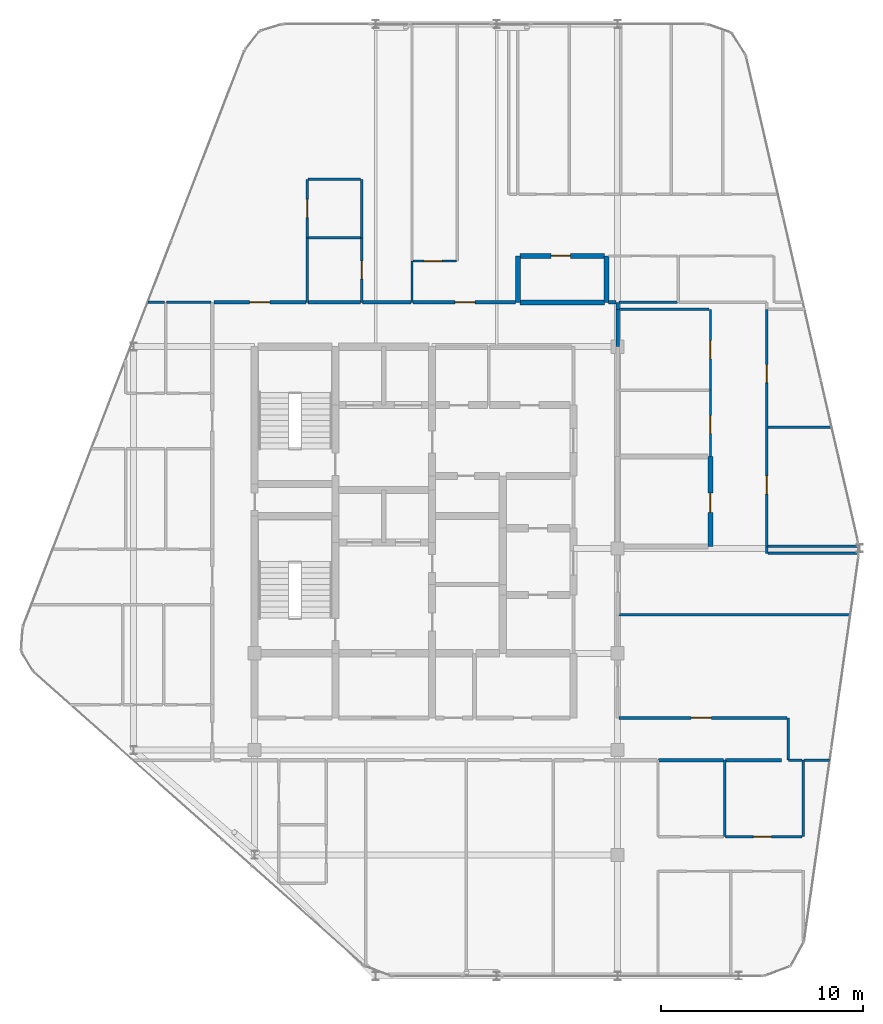
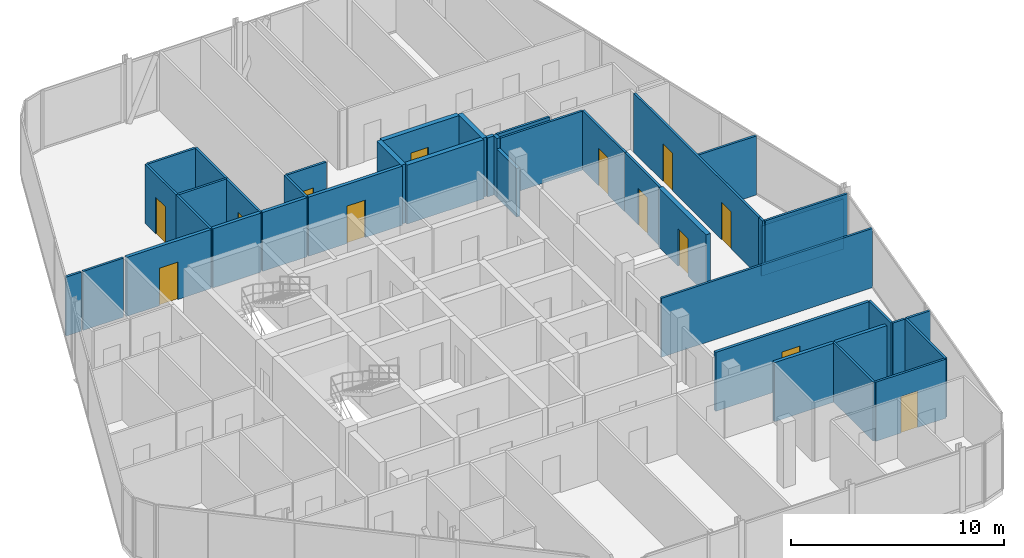
# One storey, part 25 of 27: 41 walls, 13 doors, 13 openings.
"""IFC4 building model written with IfcOpenShell, lengths in metres."""

from ifc_helpers import new_model, si_unit, direction, frame, frame_2d, origin, place, context, subcontext, project, spatial, rectangle, extrude, material, layer, layer_set, type_object, element, fill, save


model = new_model("IFC4")

# Units and contexts
model_context = context("Model", 3, precision=1e-05, world=origin(), true_north=direction((0.0, 1.0)))
body_context = subcontext(model_context, "Body", "Model", "MODEL_VIEW")
ifc_project = project(units=[si_unit("LENGTHUNIT", "METRE"), si_unit("AREAUNIT", "SQUARE_METRE"), si_unit("VOLUMEUNIT", "CUBIC_METRE"), si_unit("PLANEANGLEUNIT", "RADIAN"), si_unit("MASSUNIT", "GRAM", prefix="KILO")], contexts=[model_context])

# Site, building, storey
site_placement = place(None, origin())
site = spatial("IfcSite", under=ifc_project, at=site_placement, CompositionType="ELEMENT")
building_placement = place(site_placement, origin())
building = spatial("IfcBuilding", under=site, at=building_placement, Name="Keshet Zoharim Tower", CompositionType="ELEMENT")
storey_placement = place(building_placement, frame((0.0, 0.0, 291.699951171875)))
storey = spatial("IfcBuildingStorey", under=building, at=storey_placement, Name="L73", CompositionType="ELEMENT", Elevation=291.699951171875)

# Wall, opening, door
ifc_material_1 = material(Name="Gypsum Plasterboard", Category="gypsum")
ifc_layer_1 = layer(ifc_material_1, 0.14990234375)
ifc_layer_set_1 = layer_set([ifc_layer_1], Name="Gypsum Plasterboard")
wall_type_1 = type_object("IfcWallType", Name="WL-CLIN-150", PredefinedType="STANDARD", material=ifc_layer_set_1)
wall_1_placement = place(storey_placement, frame((33.06005859375, 19.5, 0.0), z_axis=(0.0, 0.0, 1.0), x_axis=(1.0, 0.0, 0.0)))
wall_1 = element("IfcWall", 1, at=wall_1_placement, inside=storey, type_object=wall_type_1, Name="L73 Interior Wall 105", PredefinedType="STANDARD", context=body_context, shape_type="SweptSolid", body=[
    extrude(rectangle(XDim=8.322998046875, YDim=0.14990234375, at=frame_2d((4.16162109375, 0.0))), origin(), (0.0, 0.0, 1.0), 3.39013671875),
])
opening_1_placement = place(wall_1_placement, frame((3.5830078125, 0.0, 0.0)))
opening_1 = element("IfcOpeningElement", 2, at=opening_1_placement, cuts=wall_1, Name="Opening D-F310", PredefinedType="OPENING", context=body_context, shape_type="SweptSolid", body=[
    extrude(rectangle(XDim=1.0, YDim=2.14990234375, at=frame_2d((0.5, 1.074951171875))), frame((0.0, 0.0849609375, 0.0), z_axis=(0.0, -1.0, 0.0), x_axis=(1.0, 0.0, 0.0)), (0.0, 0.0, 1.0), 0.169921875),
])
ifc_material_2 = material(Name="Hardwood Timber", Category="wood")
door_type_1 = type_object("IfcDoorType", Name="DR-FD30-100", OperationType="NOTDEFINED", PredefinedType="DOOR", material=ifc_material_2)
door_1_placement = place(opening_1_placement, origin())
door_1 = element("IfcDoor", 3, at=door_1_placement, inside=storey, type_object=door_type_1, Name="L73 South West Residents Services Suite Door 1", OperationType="SINGLE_SWING_LEFT", OverallHeight=2.14990234375, OverallWidth=1.0, PredefinedType="DOOR", context=body_context, shape_type="SweptSolid", body=[
    extrude(rectangle(XDim=1.0, YDim=2.14990234375, at=frame_2d((0.5, 1.074951171875))), frame((0.0, 0.02490234375, 0.0), z_axis=(0.0, -1.0, 0.0), x_axis=(1.0, 0.0, 0.0)), (0.0, 0.0, 1.0), 0.050048828125),
])
fill(opening_1, door_1)

# Walls
ifc_layer_2 = layer(ifc_material_1, 0.179931640625)
ifc_layer_set_2 = layer_set([ifc_layer_2], Name="Gypsum Plasterboard")
wall_type_2 = type_object("IfcWallType", Name="WL-CORR-180", PredefinedType="STANDARD", material=ifc_layer_set_2)
wall_2_placement = place(storey_placement, frame((33.0, 39.75, 0.0), z_axis=(0.0, 0.0, 1.0), x_axis=(0.0, 1.0, 0.0)))
element("IfcWall", 4, at=wall_2_placement, inside=storey, type_object=wall_type_2, Name="L73 Interior Wall 066", PredefinedType="STANDARD", context=body_context, shape_type="SweptSolid", body=[
    extrude(rectangle(XDim=0.35009765625, YDim=0.179931640625, at=frame_2d((0.175048828125, 0.0))), origin(), (0.0, 0.0, 1.0), 3.39013671875),
])
wall_3_placement = place(storey_placement, frame((35.034912109375, 17.39990234375, 0.0), z_axis=(0.0, 0.0, 1.0), x_axis=(1.0, 0.0, 0.0)))
element("IfcWall", 5, at=wall_3_placement, inside=storey, type_object=wall_type_2, Name="L73 Interior Wall 097", PredefinedType="STANDARD", context=body_context, shape_type="SweptSolid", body=[
    extrude(rectangle(XDim=3.22216796875, YDim=0.179931640625, at=frame_2d((1.611083984375, 0.0))), origin(), (0.0, 0.0, 1.0), 3.39013671875),
])
wall_4_placement = place(storey_placement, frame((38.346923828125, 17.39990234375, 0.0), z_axis=(0.0, 0.0, 1.0), x_axis=(1.0, 0.0, 0.0)))
element("IfcWall", 6, at=wall_4_placement, inside=storey, type_object=wall_type_2, Name="L73 Interior Wall 098", PredefinedType="STANDARD", context=body_context, shape_type="SweptSolid", body=[
    extrude(rectangle(XDim=2.782958984375, YDim=0.179931640625, at=frame_2d((1.3916015625, 0.0))), origin(), (0.0, 0.0, 1.0), 3.39013671875),
])

# Wall, opening, door
wall_5_placement = place(storey_placement, frame((12.97509765625, 40.10009765625, 0.0), z_axis=(0.0, 0.0, 1.0), x_axis=(1.0, 0.0, 0.0)))
wall_5 = element("IfcWall", 7, at=wall_5_placement, inside=storey, type_object=wall_type_2, Name="L73 Interior Wall 153", PredefinedType="STANDARD", context=body_context, shape_type="SweptSolid", body=[
    extrude(rectangle(XDim=4.579833984375, YDim=0.179931640625, at=frame_2d((2.2900390625, 0.0))), origin(), (0.0, 0.0, 1.0), 3.39013671875),
])
opening_2_placement = place(wall_5_placement, frame((1.77490234375, 0.0, 0.0)))
opening_2 = element("IfcOpeningElement", 8, at=opening_2_placement, cuts=wall_5, Name="Opening D-F310", PredefinedType="OPENING", context=body_context, shape_type="SweptSolid", body=[
    extrude(rectangle(XDim=1.0, YDim=2.14990234375, at=frame_2d((0.5, 1.074951171875))), frame((0.0, 0.10009765625, 0.0), z_axis=(0.0, -1.0, 0.0), x_axis=(1.0, 0.0, 0.0)), (0.0, 0.0, 1.0), 0.199951171875),
])
door_2_placement = place(opening_2_placement, origin())
door_2 = element("IfcDoor", 9, at=door_2_placement, inside=storey, type_object=door_type_1, Name="Apartment 7303 Entrance Door", OperationType="SINGLE_SWING_RIGHT", OverallHeight=2.14990234375, OverallWidth=1.0, PredefinedType="DOOR", context=body_context, shape_type="SweptSolid", body=[
    extrude(rectangle(XDim=1.0, YDim=2.14990234375, at=frame_2d((0.5, 1.074951171875))), frame((0.0, 0.02490234375, 0.0), z_axis=(0.0, -1.0, 0.0), x_axis=(1.0, 0.0, 0.0)), (0.0, 0.0, 1.0), 0.050048828125),
])
fill(opening_2, door_2)

# Walls
wall_6_placement = place(storey_placement, frame((17.64501953125, 40.10009765625, 0.0), z_axis=(0.0, 0.0, 1.0), x_axis=(1.0, 0.0, 0.0)))
element("IfcWall", 10, at=wall_6_placement, inside=storey, type_object=wall_type_2, Name="L73 Interior Wall 154", PredefinedType="STANDARD", context=body_context, shape_type="SweptSolid", body=[
    extrude(rectangle(XDim=2.60986328125, YDim=0.179931640625, at=frame_2d((1.304931640625, 0.0))), origin(), (0.0, 0.0, 1.0), 3.39013671875),
])
wall_7_placement = place(storey_placement, frame((20.344970703125, 40.10009765625, 0.0), z_axis=(0.0, 0.0, 1.0), x_axis=(1.0, 0.0, 0.0)))
element("IfcWall", 11, at=wall_7_placement, inside=storey, type_object=wall_type_2, Name="L73 Interior Wall 155", PredefinedType="STANDARD", context=body_context, shape_type="SweptSolid", body=[
    extrude(rectangle(XDim=2.409912109375, YDim=0.179931640625, at=frame_2d((1.205078125, 0.0))), origin(), (0.0, 0.0, 1.0), 3.39013671875),
])

# Wall, opening, door
wall_8_placement = place(storey_placement, frame((22.844970703125, 40.10009765625, 0.0), z_axis=(0.0, 0.0, 1.0), x_axis=(1.0, 0.0, 0.0)))
wall_8 = element("IfcWall", 12, at=wall_8_placement, inside=storey, type_object=wall_type_2, Name="L73 Interior Wall 156", PredefinedType="STANDARD", context=body_context, shape_type="SweptSolid", body=[
    extrude(rectangle(XDim=5.094970703125, YDim=0.179931640625, at=frame_2d((2.54736328125, 0.0))), origin(), (0.0, 0.0, 1.0), 3.39013671875),
])
opening_3_placement = place(wall_8_placement, frame((2.080078125, 0.0, 0.0)))
opening_3 = element("IfcOpeningElement", 13, at=opening_3_placement, cuts=wall_8, Name="Opening D-F310", PredefinedType="OPENING", context=body_context, shape_type="SweptSolid", body=[
    extrude(rectangle(XDim=1.0, YDim=2.14990234375, at=frame_2d((0.5, 1.074951171875))), frame((0.0, 0.10009765625, 0.0), z_axis=(0.0, -1.0, 0.0), x_axis=(1.0, 0.0, 0.0)), (0.0, 0.0, 1.0), 0.199951171875),
])
door_3_placement = place(opening_3_placement, origin())
door_3 = element("IfcDoor", 14, at=door_3_placement, inside=storey, type_object=door_type_1, Name="Apartment 7304 Entrance Door", OperationType="SINGLE_SWING_LEFT", OverallHeight=2.14990234375, OverallWidth=1.0, PredefinedType="DOOR", context=body_context, shape_type="SweptSolid", body=[
    extrude(rectangle(XDim=1.0, YDim=2.14990234375, at=frame_2d((0.5, 1.074951171875))), frame((0.0, 0.02490234375, 0.0), z_axis=(0.0, -1.0, 0.0), x_axis=(1.0, 0.0, 0.0)), (0.0, 0.0, 1.0), 0.050048828125),
])
fill(opening_3, door_3)

# Walls
wall_9_placement = place(storey_placement, frame((32.554931640625, 40.10009765625, 0.0), z_axis=(0.0, 0.0, 1.0), x_axis=(1.0, 0.0, 0.0)))
element("IfcWall", 15, at=wall_9_placement, inside=storey, type_object=wall_type_2, Name="L73 Interior Wall 158", PredefinedType="STANDARD", context=body_context, shape_type="SweptSolid", body=[
    extrude(rectangle(XDim=0.3701171875, YDim=0.179931640625, at=frame_2d((0.18505859375, 0.0))), origin(), (0.0, 0.0, 1.0), 3.39013671875),
])
wall_10_placement = place(storey_placement, frame((33.0, 37.89990234375, 0.0), z_axis=(0.0, 0.0, 1.0), x_axis=(0.0, 1.0, 0.0)))
element("IfcWall", 16, at=wall_10_placement, inside=storey, type_object=wall_type_2, Name="L73 Interior Wall 065 Part 2", PredefinedType="STANDARD", context=body_context, shape_type="SweptSolid", body=[
    extrude(rectangle(XDim=1.85009765625, YDim=0.179931640625, at=frame_2d((0.925048828125, 0.0))), origin(), (0.0, 0.0, 1.0), 2.7900390625),
])
ifc_material_3 = material(Name="Concrete C50/60", Category="concrete")
ifc_layer_3 = layer(ifc_material_3, 0.25)
ifc_layer_set_3 = layer_set([ifc_layer_3], Name="Concrete C50/60")
wall_type_3 = type_object("IfcWallType", Name="WL-MAMAD-250", PredefinedType="STANDARD", material=ifc_layer_set_3)
for number, where, z_axis, x_axis, name in (
    (17, (28.050048828125, 40.10009765625, 0.0), (0.0, 0.0, 1.0), (0.0, 1.0, 0.0), "L73 Interior Wall 050"),
    (18, (32.449951171875, 40.10009765625, 0.0), (0.0, 0.0, 1.0), (0.0, 1.0, 0.0), "L73 Interior Wall 060"),
):
    element("IfcWall", number, at=place(storey_placement, frame(where, z_axis=z_axis, x_axis=x_axis)), inside=storey, type_object=wall_type_3, Name=name, PredefinedType="STANDARD", context=body_context, shape_type="SweptSolid", body=[
        extrude(rectangle(XDim=2.2998046875, YDim=0.25, at=frame_2d((1.14990234375, 0.0))), origin(), (0.0, 0.0, 1.0), 3.39013671875),
    ])

# Wall, opening, door
wall_11_placement = place(storey_placement, frame((37.60009765625, 28.0, 0.0), z_axis=(0.0, 0.0, 1.0), x_axis=(0.0, 1.0, 0.0)))
wall_11 = element("IfcWall", 19, at=wall_11_placement, inside=storey, type_object=wall_type_3, Name="L73 Interior Wall 072", PredefinedType="STANDARD", context=body_context, shape_type="SweptSolid", body=[
    extrude(rectangle(XDim=4.465087890625, YDim=0.25, at=frame_2d((2.232421875, 0.0))), origin(), (0.0, 0.0, 1.0), 3.39013671875),
])
opening_4_placement = place(wall_11_placement, frame((1.68603515625, 0.0, 0.0)))
opening_4 = element("IfcOpeningElement", 20, at=opening_4_placement, cuts=wall_11, Name="Opening D-F695", PredefinedType="OPENING", context=body_context, shape_type="SweptSolid", body=[
    extrude(rectangle(XDim=0.949951171875, YDim=2.14990234375, at=frame_2d((0.47509765625, 1.074951171875))), frame((0.0, 0.135009765625, 0.0), z_axis=(0.0, -1.0, 0.0), x_axis=(1.0, 0.0, 0.0)), (0.0, 0.0, 1.0), 0.27001953125),
])
door_type_2 = type_object("IfcDoorType", Name="DR-FD60-095", OperationType="NOTDEFINED", PredefinedType="DOOR", material=ifc_material_2)
door_4_placement = place(opening_4_placement, origin())
door_4 = element("IfcDoor", 21, at=door_4_placement, inside=storey, type_object=door_type_2, Name="Apartment 7308 Study and Shelter Room Door", OperationType="SINGLE_SWING_RIGHT", OverallHeight=2.14990234375, OverallWidth=0.949951171875, PredefinedType="DOOR", context=body_context, shape_type="SweptSolid", body=[
    extrude(rectangle(XDim=0.949951171875, YDim=2.14990234375, at=frame_2d((0.47509765625, 1.074951171875))), frame((0.0, 0.02490234375, 0.0), z_axis=(0.0, -1.0, 0.0), x_axis=(1.0, 0.0, 0.0)), (0.0, 0.0, 1.0), 0.050048828125),
])
fill(opening_4, door_4)

# Wall
wall_12_placement = place(storey_placement, frame((28.159912109375, 40.10009765625, 0.0), z_axis=(0.0, 0.0, 1.0), x_axis=(1.0, 0.0, 0.0)))
element("IfcWall", 22, at=wall_12_placement, inside=storey, type_object=wall_type_3, Name="L73 Interior Wall 157", PredefinedType="STANDARD", context=body_context, shape_type="SweptSolid", body=[
    extrude(rectangle(XDim=4.175048828125, YDim=0.25, at=frame_2d((2.08740234375, 0.0))), origin(), (0.0, 0.0, 1.0), 3.39013671875),
])

# Wall, opening, door
wall_13_placement = place(storey_placement, frame((28.159912109375, 42.39990234375, 0.0), z_axis=(0.0, 0.0, 1.0), x_axis=(1.0, 0.0, 0.0)))
wall_13 = element("IfcWall", 23, at=wall_13_placement, inside=storey, type_object=wall_type_3, Name="L73 Interior Wall 163", PredefinedType="STANDARD", context=body_context, shape_type="SweptSolid", body=[
    extrude(rectangle(XDim=4.175048828125, YDim=0.25, at=frame_2d((2.08740234375, 0.0))), origin(), (0.0, 0.0, 1.0), 3.39013671875),
])
opening_5_placement = place(wall_13_placement, frame((1.5419921875, 0.0, 0.0)))
opening_5 = element("IfcOpeningElement", 24, at=opening_5_placement, cuts=wall_13, Name="Opening D-F695", PredefinedType="OPENING", context=body_context, shape_type="SweptSolid", body=[
    extrude(rectangle(XDim=0.949951171875, YDim=2.14990234375, at=frame_2d((0.47509765625, 1.074951171875))), frame((0.0, 0.135009765625, 0.0), z_axis=(0.0, -1.0, 0.0), x_axis=(1.0, 0.0, 0.0)), (0.0, 0.0, 1.0), 0.27001953125),
])
door_5_placement = place(opening_5_placement, origin())
door_5 = element("IfcDoor", 25, at=door_5_placement, inside=storey, type_object=door_type_2, Name="Apartment 7304 Study and Shelter Room Door", OperationType="SINGLE_SWING_LEFT", OverallHeight=2.14990234375, OverallWidth=0.949951171875, PredefinedType="DOOR", context=body_context, shape_type="SweptSolid", body=[
    extrude(rectangle(XDim=0.949951171875, YDim=2.14990234375, at=frame_2d((0.47509765625, 1.074951171875))), frame((0.0, 0.02490234375, 0.0), z_axis=(0.0, -1.0, 0.0), x_axis=(1.0, 0.0, 0.0)), (0.0, 0.0, 1.0), 0.050048828125),
])
fill(opening_5, door_5)

# Wall
ifc_layer_4 = layer(ifc_material_1, 0.1201171875)
ifc_layer_set_4 = layer_set([ifc_layer_4], Name="Gypsum Plasterboard")
wall_type_4 = type_object("IfcWallType", Name="WL-PART-120", PredefinedType="PARTITIONING", material=ifc_layer_set_4)
wall_14_placement = place(storey_placement, frame((17.60009765625, 40.10009765625, 0.0), z_axis=(0.0, 0.0, 1.0), x_axis=(0.0, 1.0, 0.0)))
element("IfcWall", 26, at=wall_14_placement, inside=storey, type_object=wall_type_4, Name="L73 Interior Wall 019", PredefinedType="PARTITIONING", context=body_context, shape_type="SweptSolid", body=[
    extrude(rectangle(XDim=3.199951171875, YDim=0.1201171875, at=frame_2d((1.60009765625, 0.0))), origin(), (0.0, 0.0, 1.0), 3.39013671875),
])

# Wall, opening, door
wall_15_placement = place(storey_placement, frame((20.300048828125, 40.10009765625, 0.0), z_axis=(0.0, 0.0, 1.0), x_axis=(0.0, 1.0, 0.0)))
wall_15 = element("IfcWall", 27, at=wall_15_placement, inside=storey, type_object=wall_type_4, Name="L73 Interior Wall 028", PredefinedType="PARTITIONING", context=body_context, shape_type="SweptSolid", body=[
    extrude(rectangle(XDim=3.199951171875, YDim=0.1201171875, at=frame_2d((1.60009765625, 0.0))), origin(), (0.0, 0.0, 1.0), 3.39013671875),
])
opening_6_placement = place(wall_15_placement, frame((1.14990234375, 0.0, 0.0)))
opening_6 = element("IfcOpeningElement", 28, at=opening_6_placement, cuts=wall_15, Name="Opening D-IN90", PredefinedType="OPENING", context=body_context, shape_type="SweptSolid", body=[
    extrude(rectangle(XDim=0.89990234375, YDim=2.14990234375, at=frame_2d((0.449951171875, 1.074951171875))), frame((0.0, 0.070068359375, 0.0), z_axis=(0.0, -1.0, 0.0), x_axis=(1.0, 0.0, 0.0)), (0.0, 0.0, 1.0), 0.14013671875),
])
door_type_3 = type_object("IfcDoorType", Name="DR-INT-090", OperationType="NOTDEFINED", PredefinedType="DOOR", material=ifc_material_2)
door_6_placement = place(opening_6_placement, origin())
door_6 = element("IfcDoor", 29, at=door_6_placement, inside=storey, type_object=door_type_3, Name="Apartment 7303 Kitchenette Door", OperationType="SINGLE_SWING_RIGHT", OverallHeight=2.14990234375, OverallWidth=0.89990234375, PredefinedType="DOOR", context=body_context, shape_type="SweptSolid", body=[
    extrude(rectangle(XDim=0.89990234375, YDim=2.14990234375, at=frame_2d((0.449951171875, 1.074951171875))), frame((0.0, 0.02490234375, 0.0), z_axis=(0.0, -1.0, 0.0), x_axis=(1.0, 0.0, 0.0)), (0.0, 0.0, 1.0), 0.050048828125),
])
fill(opening_6, door_6)

# Wall
wall_16_placement = place(storey_placement, frame((22.800048828125, 40.10009765625, 0.0), z_axis=(0.0, 0.0, 1.0), x_axis=(0.0, 1.0, 0.0)))
element("IfcWall", 30, at=wall_16_placement, inside=storey, type_object=wall_type_4, Name="L73 Interior Wall 033", PredefinedType="PARTITIONING", context=body_context, shape_type="SweptSolid", body=[
    extrude(rectangle(XDim=2.0498046875, YDim=0.1201171875, at=frame_2d((1.02490234375, 0.0))), origin(), (0.0, 0.0, 1.0), 3.39013671875),
])

# Wall, opening, door
wall_17_placement = place(storey_placement, frame((37.60009765625, 35.7548828125, 0.0), z_axis=(0.0, 0.0, 1.0), x_axis=(0.0, 1.0, 0.0)))
wall_17 = element("IfcWall", 31, at=wall_17_placement, inside=storey, type_object=wall_type_4, Name="L73 Interior Wall 074", PredefinedType="PARTITIONING", context=body_context, shape_type="SweptSolid", body=[
    extrude(rectangle(XDim=3.9951171875, YDim=0.1201171875, at=frame_2d((1.99755859375, 0.0))), origin(), (0.0, 0.0, 1.0), 3.39013671875),
])
opening_7_placement = place(wall_17_placement, frame((1.548095703125, 0.0, 0.0)))
opening_7 = element("IfcOpeningElement", 32, at=opening_7_placement, cuts=wall_17, Name="Opening D-IN90", PredefinedType="OPENING", context=body_context, shape_type="SweptSolid", body=[
    extrude(rectangle(XDim=0.89990234375, YDim=2.14990234375, at=frame_2d((0.449951171875, 1.074951171875))), frame((0.0, 0.070068359375, 0.0), z_axis=(0.0, -1.0, 0.0), x_axis=(1.0, 0.0, 0.0)), (0.0, 0.0, 1.0), 0.14013671875),
])
door_7_placement = place(opening_7_placement, origin())
door_7 = element("IfcDoor", 33, at=door_7_placement, inside=storey, type_object=door_type_3, Name="Apartment 7308 Kitchen Door", OperationType="SINGLE_SWING_RIGHT", OverallHeight=2.14990234375, OverallWidth=0.89990234375, PredefinedType="DOOR", context=body_context, shape_type="SweptSolid", body=[
    extrude(rectangle(XDim=0.89990234375, YDim=2.14990234375, at=frame_2d((0.449951171875, 1.074951171875))), frame((0.0, 0.02490234375, 0.0), z_axis=(0.0, -1.0, 0.0), x_axis=(1.0, 0.0, 0.0)), (0.0, 0.0, 1.0), 0.050048828125),
])
fill(opening_7, door_7)

# Wall
wall_18_placement = place(storey_placement, frame((40.39990234375, 27.64990234375, 0.0), z_axis=(0.0, 0.0, 1.0), x_axis=(0.0, 1.0, 0.0)))
element("IfcWall", 34, at=wall_18_placement, inside=storey, type_object=wall_type_4, Name="L73 Interior Wall 078", PredefinedType="PARTITIONING", context=body_context, shape_type="SweptSolid", body=[
    extrude(rectangle(XDim=0.35009765625, YDim=0.1201171875, at=frame_2d((0.175048828125, 0.0))), origin(), (0.0, 0.0, 1.0), 3.39013671875),
])

# Wall, openings, doors
wall_19_placement = place(storey_placement, frame((40.39990234375, 28.0, 0.0), z_axis=(0.0, 0.0, 1.0), x_axis=(0.0, 1.0, 0.0)))
wall_19 = element("IfcWall", 35, at=wall_19_placement, inside=storey, type_object=wall_type_4, Name="L73 Interior Wall 079", PredefinedType="PARTITIONING", context=body_context, shape_type="SweptSolid", body=[
    extrude(rectangle(XDim=11.75, YDim=0.1201171875, at=frame_2d((5.875, 0.0))), origin(), (0.0, 0.0, 1.0), 3.39013671875),
])
opening_8_placement = place(wall_19_placement, frame((2.591064453125, 0.0, 0.0)))
opening_8 = element("IfcOpeningElement", 36, at=opening_8_placement, cuts=wall_19, Name="Opening D-IN90", PredefinedType="OPENING", context=body_context, shape_type="SweptSolid", body=[
    extrude(rectangle(XDim=0.89990234375, YDim=2.14990234375, at=frame_2d((0.449951171875, 1.074951171875))), frame((0.0, 0.070068359375, 0.0), z_axis=(0.0, -1.0, 0.0), x_axis=(1.0, 0.0, 0.0)), (0.0, 0.0, 1.0), 0.14013671875),
])
opening_9_placement = place(wall_19_placement, frame((8.115966796875, 0.0, 0.0)))
opening_9 = element("IfcOpeningElement", 37, at=opening_9_placement, cuts=wall_19, Name="Opening D-IN90", PredefinedType="OPENING", context=body_context, shape_type="SweptSolid", body=[
    extrude(rectangle(XDim=0.89990234375, YDim=2.14990234375, at=frame_2d((0.449951171875, 1.074951171875))), frame((0.0, 0.070068359375, 0.0), z_axis=(0.0, -1.0, 0.0), x_axis=(1.0, 0.0, 0.0)), (0.0, 0.0, 1.0), 0.14013671875),
])
door_8_placement = place(opening_8_placement, origin())
door_8 = element("IfcDoor", 38, at=door_8_placement, inside=storey, type_object=door_type_3, Name="Apartment 7308 Bedroom 1 Door", OperationType="SINGLE_SWING_LEFT", OverallHeight=2.14990234375, OverallWidth=0.89990234375, PredefinedType="DOOR", context=body_context, shape_type="SweptSolid", body=[
    extrude(rectangle(XDim=0.89990234375, YDim=2.14990234375, at=frame_2d((0.449951171875, 1.074951171875))), frame((0.0, 0.02490234375, 0.0), z_axis=(0.0, -1.0, 0.0), x_axis=(1.0, 0.0, 0.0)), (0.0, 0.0, 1.0), 0.050048828125),
])
fill(opening_8, door_8)
door_9_placement = place(opening_9_placement, origin())
door_9 = element("IfcDoor", 39, at=door_9_placement, inside=storey, type_object=door_type_3, Name="Apartment 7308 Bedroom 2 Door", OperationType="SINGLE_SWING_RIGHT", OverallHeight=2.14990234375, OverallWidth=0.89990234375, PredefinedType="DOOR", context=body_context, shape_type="SweptSolid", body=[
    extrude(rectangle(XDim=0.89990234375, YDim=2.14990234375, at=frame_2d((0.449951171875, 1.074951171875))), frame((0.0, 0.02490234375, 0.0), z_axis=(0.0, -1.0, 0.0), x_axis=(1.0, 0.0, 0.0)), (0.0, 0.0, 1.0), 0.050048828125),
])
fill(opening_9, door_9)

# Walls
wall_20_placement = place(storey_placement, frame((41.449951171875, 17.39990234375, 0.0), z_axis=(0.0, 0.0, 1.0), x_axis=(0.0, 1.0, 0.0)))
element("IfcWall", 40, at=wall_20_placement, inside=storey, type_object=wall_type_4, Name="L73 Interior Wall 082", PredefinedType="PARTITIONING", context=body_context, shape_type="SweptSolid", body=[
    extrude(rectangle(XDim=2.09912109375, YDim=0.1201171875, at=frame_2d((1.049560546875, 0.0))), origin(), (0.0, 0.0, 1.0), 3.39013671875),
])
wall_21_placement = place(storey_placement, frame((42.236083984375, 17.39990234375, 0.0), z_axis=(0.0, 0.0, 1.0), x_axis=(1.0, 0.0, 0.0)))
element("IfcWall", 41, at=wall_21_placement, inside=storey, type_object=wall_type_4, Name="L73 Interior Wall 100", PredefinedType="PARTITIONING", context=body_context, shape_type="SweptSolid", body=[
    extrude(rectangle(XDim=1.267822265625, YDim=0.1201171875, at=frame_2d((0.6337890625, 0.0))), origin(), (0.0, 0.0, 1.0), 3.39013671875),
])
wall_22_placement = place(storey_placement, frame((33.074951171875, 24.60009765625, 0.0), z_axis=(0.0, 0.0, 1.0), x_axis=(1.0, 0.0, 0.0)))
element("IfcWall", 42, at=wall_22_placement, inside=storey, type_object=wall_type_4, Name="L73 Interior Wall 114", PredefinedType="PARTITIONING", context=body_context, shape_type="SweptSolid", body=[
    extrude(rectangle(XDim=11.447998046875, YDim=0.1201171875, at=frame_2d((5.72412109375, 0.0))), origin(), (0.0, 0.0, 1.0), 3.39013671875),
])
wall_23_placement = place(storey_placement, frame((40.465087890625, 27.64990234375, 0.0), z_axis=(0.0, 0.0, 1.0), x_axis=(1.0, 0.0, 0.0)))
element("IfcWall", 43, at=wall_23_placement, inside=storey, type_object=wall_type_4, Name="L73 Interior Wall 120", PredefinedType="PARTITIONING", context=body_context, shape_type="SweptSolid", body=[
    extrude(rectangle(XDim=4.468017578125, YDim=0.1201171875, at=frame_2d((2.23388671875, 0.0))), origin(), (0.0, 0.0, 1.0), 3.39013671875),
])
wall_24_placement = place(storey_placement, frame((40.465087890625, 28.0, 0.0), z_axis=(0.0, 0.0, 1.0), x_axis=(1.0, 0.0, 0.0)))
element("IfcWall", 44, at=wall_24_placement, inside=storey, type_object=wall_type_4, Name="L73 Interior Wall 125", PredefinedType="PARTITIONING", context=body_context, shape_type="SweptSolid", body=[
    extrude(rectangle(XDim=4.451904296875, YDim=0.1201171875, at=frame_2d((2.22607421875, 0.0))), origin(), (0.0, 0.0, 1.0), 2.89013671875),
])
wall_25_placement = place(storey_placement, frame((40.465087890625, 33.89990234375, 0.0), z_axis=(0.0, 0.0, 1.0), x_axis=(1.0, 0.0, 0.0)))
element("IfcWall", 45, at=wall_25_placement, inside=storey, type_object=wall_type_4, Name="L73 Interior Wall 138", PredefinedType="PARTITIONING", context=body_context, shape_type="SweptSolid", body=[
    extrude(rectangle(XDim=3.139892578125, YDim=0.1201171875, at=frame_2d((1.56982421875, 0.0))), origin(), (0.0, 0.0, 1.0), 3.39013671875),
])
wall_26_placement = place(storey_placement, frame((33.074951171875, 39.75, 0.0), z_axis=(0.0, 0.0, 1.0), x_axis=(1.0, 0.0, 0.0)))
element("IfcWall", 46, at=wall_26_placement, inside=storey, type_object=wall_type_4, Name="L73 Interior Wall 149", PredefinedType="PARTITIONING", context=body_context, shape_type="SweptSolid", body=[
    extrude(rectangle(XDim=4.4599609375, YDim=0.1201171875, at=frame_2d((2.22998046875, 0.0))), origin(), (0.0, 0.0, 1.0), 3.39013671875),
])
wall_27_placement = place(storey_placement, frame((9.701904296875, 40.10009765625, 0.0), z_axis=(0.0, 0.0, 1.0), x_axis=(1.0, 0.0, 0.0)))
element("IfcWall", 47, at=wall_27_placement, inside=storey, type_object=wall_type_4, Name="L73 Interior Wall 151", PredefinedType="PARTITIONING", context=body_context, shape_type="SweptSolid", body=[
    extrude(rectangle(XDim=0.8310546875, YDim=0.1201171875, at=frame_2d((0.41552734375, 0.0))), origin(), (0.0, 0.0, 1.0), 3.39013671875),
])

# Wall, opening, door
wall_28_placement = place(storey_placement, frame((22.844970703125, 42.14990234375, 0.0), z_axis=(0.0, 0.0, 1.0), x_axis=(1.0, 0.0, 0.0)))
wall_28 = element("IfcWall", 48, at=wall_28_placement, inside=storey, type_object=wall_type_4, Name="L73 Interior Wall 162", PredefinedType="PARTITIONING", context=body_context, shape_type="SweptSolid", body=[
    extrude(rectangle(XDim=2.159912109375, YDim=0.1201171875, at=frame_2d((1.080078125, 0.0))), origin(), (0.0, 0.0, 1.0), 3.39013671875),
])
opening_10_placement = place(wall_28_placement, frame((0.552978515625, 0.0, 0.0)))
opening_10 = element("IfcOpeningElement", 49, at=opening_10_placement, cuts=wall_28, Name="Opening D-IN90", PredefinedType="OPENING", context=body_context, shape_type="SweptSolid", body=[
    extrude(rectangle(XDim=0.89990234375, YDim=2.14990234375, at=frame_2d((0.449951171875, 1.074951171875))), frame((0.0, 0.070068359375, 0.0), z_axis=(0.0, -1.0, 0.0), x_axis=(1.0, 0.0, 0.0)), (0.0, 0.0, 1.0), 0.14013671875),
])
door_10_placement = place(opening_10_placement, origin())
door_10 = element("IfcDoor", 50, at=door_10_placement, inside=storey, type_object=door_type_3, Name="Apartment 7304 Formal Dining Room Door", OperationType="SINGLE_SWING_RIGHT", OverallHeight=2.14990234375, OverallWidth=0.89990234375, PredefinedType="DOOR", context=body_context, shape_type="SweptSolid", body=[
    extrude(rectangle(XDim=0.89990234375, YDim=2.14990234375, at=frame_2d((0.449951171875, 1.074951171875))), frame((0.0, 0.02490234375, 0.0), z_axis=(0.0, -1.0, 0.0), x_axis=(1.0, 0.0, 0.0)), (0.0, 0.0, 1.0), 0.050048828125),
])
fill(opening_10, door_10)

ifc_layer_5 = layer(ifc_material_1, 0.1201171875)
ifc_layer_set_5 = layer_set([ifc_layer_5], Name="Gypsum Plasterboard")
wall_type_5 = type_object("IfcWallType", Name="WL-WET-120", PredefinedType="PARTITIONING", material=ifc_layer_set_5)
wall_29_placement = place(storey_placement, frame((17.60009765625, 43.300048828125, 0.0), z_axis=(0.0, 0.0, 1.0), x_axis=(0.0, 1.0, 0.0)))
wall_29 = element("IfcWall", 51, at=wall_29_placement, inside=storey, type_object=wall_type_5, Name="L73 Interior Wall 020", PredefinedType="PARTITIONING", context=body_context, shape_type="SweptSolid", body=[
    extrude(rectangle(XDim=2.89990234375, YDim=0.1201171875, at=frame_2d((1.449951171875, 0.0))), origin(), (0.0, 0.0, 1.0), 3.39013671875),
])
opening_11_placement = place(wall_29_placement, frame((1.0, 0.0, 0.0)))
opening_11 = element("IfcOpeningElement", 52, at=opening_11_placement, cuts=wall_29, Name="Opening D-WT90", PredefinedType="OPENING", context=body_context, shape_type="SweptSolid", body=[
    extrude(rectangle(XDim=0.89990234375, YDim=2.10009765625, at=frame_2d((0.449951171875, 1.050048828125))), frame((0.0, 0.070068359375, 0.0), z_axis=(0.0, -1.0, 0.0), x_axis=(1.0, 0.0, 0.0)), (0.0, 0.0, 1.0), 0.14013671875),
])
door_type_4 = type_object("IfcDoorType", Name="DR-WET-090", OperationType="NOTDEFINED", PredefinedType="DOOR", material=ifc_material_2)
door_11_placement = place(opening_11_placement, origin())
door_11 = element("IfcDoor", 53, at=door_11_placement, inside=storey, type_object=door_type_4, Name="Apartment 7303 Bathroom Door", OperationType="SINGLE_SWING_RIGHT", OverallHeight=2.10009765625, OverallWidth=0.89990234375, PredefinedType="DOOR", context=body_context, shape_type="SweptSolid", body=[
    extrude(rectangle(XDim=0.89990234375, YDim=2.10009765625, at=frame_2d((0.449951171875, 1.050048828125))), frame((0.0, 0.02490234375, 0.0), z_axis=(0.0, -1.0, 0.0), x_axis=(1.0, 0.0, 0.0)), (0.0, 0.0, 1.0), 0.050048828125),
])
fill(opening_11, door_11)

# Wall
wall_30_placement = place(storey_placement, frame((20.300048828125, 43.300048828125, 0.0), z_axis=(0.0, 0.0, 1.0), x_axis=(0.0, 1.0, 0.0)))
element("IfcWall", 54, at=wall_30_placement, inside=storey, type_object=wall_type_5, Name="L73 Interior Wall 029", PredefinedType="PARTITIONING", context=body_context, shape_type="SweptSolid", body=[
    extrude(rectangle(XDim=2.89990234375, YDim=0.1201171875, at=frame_2d((1.449951171875, 0.0))), origin(), (0.0, 0.0, 1.0), 3.39013671875),
])

# Wall, opening, door
wall_31_placement = place(storey_placement, frame((37.60009765625, 32.465087890625, 0.0), z_axis=(0.0, 0.0, 1.0), x_axis=(0.0, 1.0, 0.0)))
wall_31 = element("IfcWall", 55, at=wall_31_placement, inside=storey, type_object=wall_type_5, Name="L73 Interior Wall 073", PredefinedType="PARTITIONING", context=body_context, shape_type="SweptSolid", body=[
    extrude(rectangle(XDim=3.289794921875, YDim=0.1201171875, at=frame_2d((1.64501953125, 0.0))), origin(), (0.0, 0.0, 1.0), 3.39013671875),
])
opening_12_placement = place(wall_31_placement, frame((1.123046875, 0.0, 0.0)))
opening_12 = element("IfcOpeningElement", 56, at=opening_12_placement, cuts=wall_31, Name="Opening D-WT90", PredefinedType="OPENING", context=body_context, shape_type="SweptSolid", body=[
    extrude(rectangle(XDim=0.89990234375, YDim=2.10009765625, at=frame_2d((0.449951171875, 1.050048828125))), frame((0.0, 0.070068359375, 0.0), z_axis=(0.0, -1.0, 0.0), x_axis=(1.0, 0.0, 0.0)), (0.0, 0.0, 1.0), 0.14013671875),
])
door_12_placement = place(opening_12_placement, origin())
door_12 = element("IfcDoor", 57, at=door_12_placement, inside=storey, type_object=door_type_4, Name="Apartment 7308 Bathroom Door", OperationType="SINGLE_SWING_LEFT", OverallHeight=2.10009765625, OverallWidth=0.89990234375, PredefinedType="DOOR", context=body_context, shape_type="SweptSolid", body=[
    extrude(rectangle(XDim=0.89990234375, YDim=2.10009765625, at=frame_2d((0.449951171875, 1.050048828125))), frame((0.0, 0.02490234375, 0.0), z_axis=(0.0, -1.0, 0.0), x_axis=(1.0, 0.0, 0.0)), (0.0, 0.0, 1.0), 0.050048828125),
])
fill(opening_12, door_12)

# Walls
for number, where, z_axis, x_axis, name in (
    (58, (38.300048828125, 13.6201171875, 0.0), (0.0, 0.0, 1.0), (0.0, 1.0, 0.0), "L73 Interior Wall 076"),
    (59, (42.199951171875, 13.6201171875, 0.0), (0.0, 0.0, 1.0), (0.0, 1.0, 0.0), "L73 Interior Wall 084"),
):
    element("IfcWall", number, at=place(storey_placement, frame(where, z_axis=z_axis, x_axis=x_axis)), inside=storey, type_object=wall_type_5, Name=name, PredefinedType="PARTITIONING", context=body_context, shape_type="SweptSolid", body=[
        extrude(rectangle(XDim=3.77978515625, YDim=0.1201171875, at=frame_2d((1.889892578125, 0.0))), origin(), (0.0, 0.0, 1.0), 3.39013671875),
    ])

# Wall, opening, door
wall_32_placement = place(storey_placement, frame((38.346923828125, 13.60009765625, 0.0), z_axis=(0.0, 0.0, 1.0), x_axis=(1.0, 0.0, 0.0)))
wall_32 = element("IfcWall", 60, at=wall_32_placement, inside=storey, type_object=wall_type_5, Name="L73 Interior Wall 088", PredefinedType="PARTITIONING", context=body_context, shape_type="SweptSolid", body=[
    extrude(rectangle(XDim=3.799072265625, YDim=0.1201171875, at=frame_2d((1.8994140625, 0.0))), origin(), (0.0, 0.0, 1.0), 3.39013671875),
])
opening_13_placement = place(wall_32_placement, frame((1.376953125, 0.0, 0.0)))
opening_13 = element("IfcOpeningElement", 61, at=opening_13_placement, cuts=wall_32, Name="Opening D-WT90", PredefinedType="OPENING", context=body_context, shape_type="SweptSolid", body=[
    extrude(rectangle(XDim=0.89990234375, YDim=2.10009765625, at=frame_2d((0.449951171875, 1.050048828125))), frame((0.0, 0.070068359375, 0.0), z_axis=(0.0, -1.0, 0.0), x_axis=(1.0, 0.0, 0.0)), (0.0, 0.0, 1.0), 0.14013671875),
])
door_13_placement = place(opening_13_placement, origin())
door_13 = element("IfcDoor", 62, at=door_13_placement, inside=storey, type_object=door_type_4, Name="Apartment 7302 Bathroom Door", OperationType="SINGLE_SWING_RIGHT", OverallHeight=2.10009765625, OverallWidth=0.89990234375, PredefinedType="DOOR", context=body_context, shape_type="SweptSolid", body=[
    extrude(rectangle(XDim=0.89990234375, YDim=2.10009765625, at=frame_2d((0.449951171875, 1.050048828125))), frame((0.0, 0.02490234375, 0.0), z_axis=(0.0, -1.0, 0.0), x_axis=(1.0, 0.0, 0.0)), (0.0, 0.0, 1.0), 0.050048828125),
])
fill(opening_13, door_13)

# Walls
wall_33_placement = place(storey_placement, frame((41.472900390625, 17.39990234375, 0.0), z_axis=(0.0, 0.0, 1.0), x_axis=(1.0, 0.0, 0.0)))
element("IfcWall", 63, at=wall_33_placement, inside=storey, type_object=wall_type_5, Name="L73 Interior Wall 099", PredefinedType="PARTITIONING", context=body_context, shape_type="SweptSolid", body=[
    extrude(rectangle(XDim=0.673095703125, YDim=0.1201171875, at=frame_2d((0.33642578125, 0.0))), origin(), (0.0, 0.0, 1.0), 3.39013671875),
])
wall_34_placement = place(storey_placement, frame((10.623046875, 40.10009765625, 0.0), z_axis=(0.0, 0.0, 1.0), x_axis=(1.0, 0.0, 0.0)))
element("IfcWall", 64, at=wall_34_placement, inside=storey, type_object=wall_type_5, Name="L73 Interior Wall 152", PredefinedType="PARTITIONING", context=body_context, shape_type="SweptSolid", body=[
    extrude(rectangle(XDim=2.201904296875, YDim=0.1201171875, at=frame_2d((1.10107421875, 0.0))), origin(), (0.0, 0.0, 1.0), 3.39013671875),
])
wall_35_placement = place(storey_placement, frame((33.074951171875, 40.10009765625, 0.0), z_axis=(0.0, 0.0, 1.0), x_axis=(1.0, 0.0, 0.0)))
element("IfcWall", 65, at=wall_35_placement, inside=storey, type_object=wall_type_5, Name="L73 Interior Wall 159", PredefinedType="PARTITIONING", context=body_context, shape_type="SweptSolid", body=[
    extrude(rectangle(XDim=2.881103515625, YDim=0.1201171875, at=frame_2d((1.4404296875, 0.0))), origin(), (0.0, 0.0, 1.0), 3.39013671875),
])
for number, where, z_axis, x_axis, name in (
    (66, (17.64501953125, 43.300048828125, 0.0), (0.0, 0.0, 1.0), (1.0, 0.0, 0.0), "L73 Interior Wall 166"),
    (67, (17.64501953125, 46.199951171875, 0.0), (0.0, 0.0, 1.0), (1.0, 0.0, 0.0), "L73 Interior Wall 169"),
):
    element("IfcWall", number, at=place(storey_placement, frame(where, z_axis=z_axis, x_axis=x_axis)), inside=storey, type_object=wall_type_5, Name=name, PredefinedType="PARTITIONING", context=body_context, shape_type="SweptSolid", body=[
        extrude(rectangle(XDim=2.60986328125, YDim=0.1201171875, at=frame_2d((1.304931640625, 0.0))), origin(), (0.0, 0.0, 1.0), 3.39013671875),
    ])

save(model, "model.ifc")
